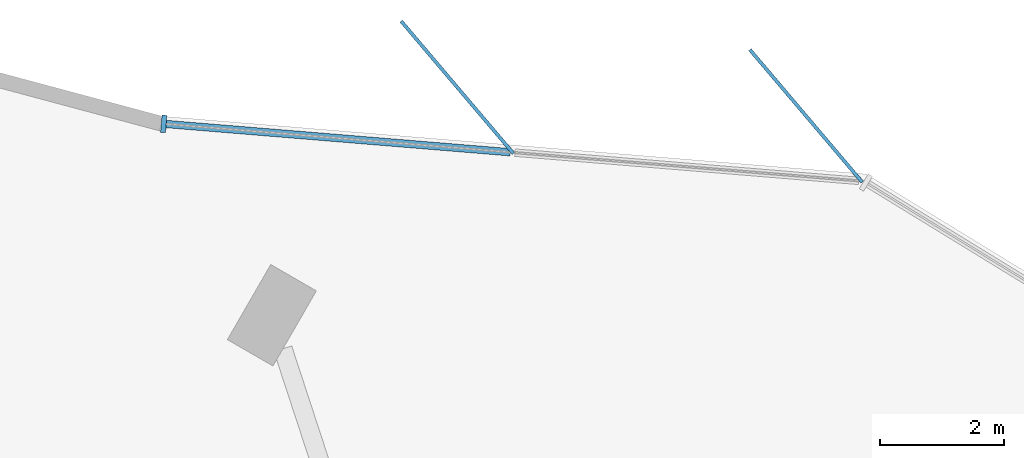
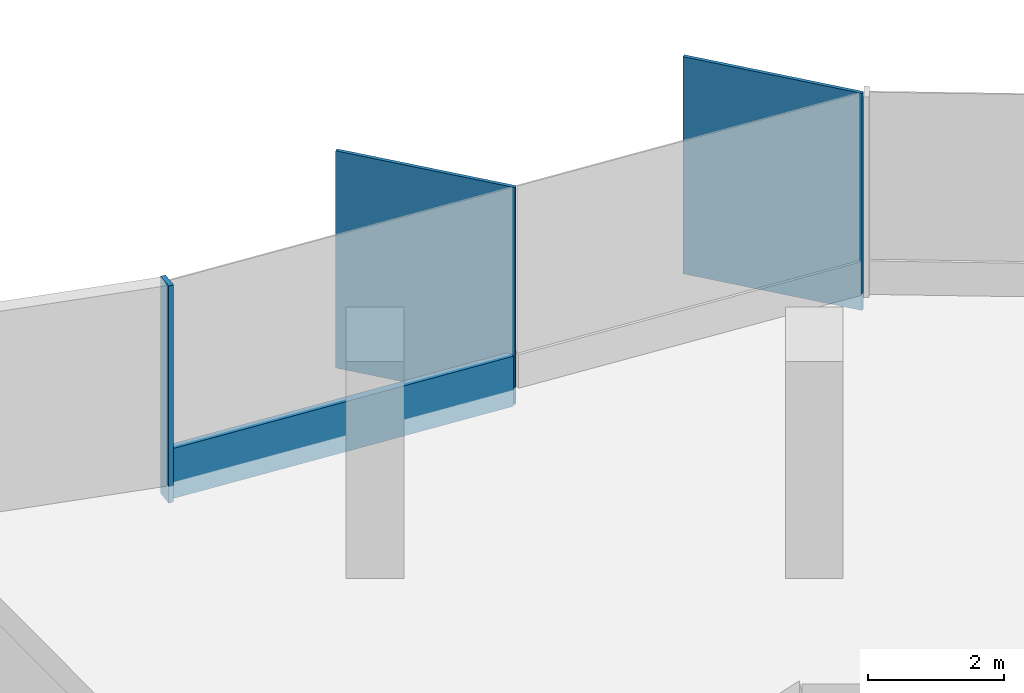
# One storey, part 6 of 13: 4 members, 1 element without a shape of its own.
"""IFC4 building model written with IfcOpenShell, lengths in metres."""

from ifc_helpers import new_model, si_unit, direction, frame, origin, origin_2d, place, context, subcontext, project, spatial, rectangle, extrude, material, material_profile, profile_set, type_object, element, aggregate, save


model = new_model("IFC4")

# Units and contexts
model_context = context("Model", 3, precision=1e-05, world=origin(), true_north=direction((0.0, 1.0)))
body_context = subcontext(model_context, "Body", "Model", "MODEL_VIEW")
ifc_project = project(units=[si_unit("LENGTHUNIT", "METRE"), si_unit("AREAUNIT", "SQUARE_METRE"), si_unit("VOLUMEUNIT", "CUBIC_METRE"), si_unit("PLANEANGLEUNIT", "RADIAN"), si_unit("MASSUNIT", "GRAM", prefix="KILO")], contexts=[model_context])

# Site, building, storey
site_placement = place(None, origin())
site = spatial("IfcSite", under=ifc_project, at=site_placement, CompositionType="ELEMENT")
building_placement = place(site_placement, origin())
building = spatial("IfcBuilding", under=site, at=building_placement, Name="Tanit Gate Tower", CompositionType="ELEMENT")
storey_placement = place(building_placement, frame((0.0, 0.0, 326.0)))
storey = spatial("IfcBuildingStorey", under=building, at=storey_placement, Name="L73", CompositionType="ELEMENT", Elevation=326.0)

# Curtain wall, members
ifc_material_1 = material(Name="Aluminium bronze anodised and glass", Category="aluminium")
curtain_wall_type = type_object("IfcCurtainWallType", Name="Curtain wall typical high", PredefinedType="NOTDEFINED", material=ifc_material_1)
curtain_wall_placement = place(storey_placement, origin())
curtain_wall = element("IfcCurtainWall", 1, at=curtain_wall_placement, inside=storey, type_object=curtain_wall_type, Name="Curtain wall L73 NE3", PredefinedType="NOTDEFINED")
ifc_material_2 = material(Name="Aluminium bronze anodised", Category="aluminium")
ifc_material_profile_1 = material_profile(ifc_material_2, rectangle(XDim=2.800048828125, YDim=0.055908203125, at=origin_2d()), Name="56x2800 bronze fin mullion")
ifc_profile_set_1 = profile_set([ifc_material_profile_1], Name="Aluminium bronze anodised")
member_type_1 = type_object("IfcMemberType", Name="FIN MULLION 56x2800 bronze", PredefinedType="MULLION", material=ifc_profile_set_1)
member_1_placement = place(storey_placement, frame((-0.837646484375, 32.079345703125, -0.300048828125), z_axis=(0.0, 0.0, 1.0), x_axis=(0.646872821533, -0.762597897166, 0.0)))
member_1 = element("IfcMember", 2, at=member_1_placement, type_object=member_type_1, Name="Fin mullion L73 NE3.1", PredefinedType="MULLION", context=body_context, shape_type="SweptSolid", body=[
    extrude(rectangle(XDim=2.800048828125, YDim=0.055908203125, at=origin_2d()), origin(), (0.0, 0.0, 1.0), 3.900146484375),
])
member_2_placement = place(storey_placement, frame((-6.46826171875, 32.54150390625, -0.300048828125), z_axis=(0.0, 0.0, 1.0), x_axis=(0.646872821533, -0.762597897166, 0.0)))
member_2 = element("IfcMember", 3, at=member_2_placement, type_object=member_type_1, Name="Fin mullion L73 NE3.2", PredefinedType="MULLION", context=body_context, shape_type="SweptSolid", body=[
    extrude(rectangle(XDim=2.800048828125, YDim=0.055908203125, at=origin_2d()), origin(), (0.0, 0.0, 1.0), 3.900146484375),
])
ifc_material_3 = material(Name="Aluminium bronze anodised", Category="aluminium")
ifc_material_profile_2 = material_profile(ifc_material_3, rectangle(XDim=0.280029296875, YDim=0.080078125, at=origin_2d()), Name="80x280 bronze mullion")
ifc_profile_set_2 = profile_set([ifc_material_profile_2], Name="Aluminium bronze anodised")
member_type_2 = type_object("IfcMemberType", Name="Mullion 80x280 typical high", PredefinedType="MULLION", material=ifc_profile_set_2)
member_3_placement = place(storey_placement, frame((-11.2060546875, 31.951171875, -0.300048828125), z_axis=(0.0, 0.0, 1.0), x_axis=(-0.081829985733, -0.996646303076, 0.0)))
member_3 = element("IfcMember", 4, at=member_3_placement, type_object=member_type_2, Name="Mullion L73 NE3.3", PredefinedType="MULLION", context=body_context, shape_type="SweptSolid", body=[
    extrude(rectangle(XDim=0.280029296875, YDim=0.080078125, at=origin_2d()), origin(), (0.0, 0.0, 1.0), 3.900146484375),
])
ifc_material_4 = material(Name="Aluminium bronze anodised", Category="aluminium")
ifc_material_profile_3 = material_profile(ifc_material_4, rectangle(XDim=0.1201171875, YDim=0.89990234375, at=origin_2d()), Name="120x900 bronze transom")
ifc_profile_set_3 = profile_set([ifc_material_profile_3], Name="Aluminium bronze anodised")
member_type_3 = type_object("IfcMemberType", Name="Transom 120x900 typical high", PredefinedType="USERDEFINED", material=ifc_profile_set_3)
member_4_placement = place(storey_placement, frame((-5.615234375, 31.4921875, 0.14990234375), z_axis=(-0.996645398744, 0.081840999272, 0.0), x_axis=(-0.081840999272, -0.996645398744, 0.0)))
member_4 = element("IfcMember", 5, at=member_4_placement, type_object=member_type_3, Name="Transom L73 NE3.2", ObjectType="TRANSOM", PredefinedType="USERDEFINED", context=body_context, shape_type="SweptSolid", body=[
    extrude(rectangle(XDim=0.1201171875, YDim=0.89990234375, at=origin_2d()), origin(), (0.0, 0.0, 1.0), 5.569580078125),
])
aggregate(curtain_wall, [member_1, member_2, member_3, member_4])

save(model, "model.ifc")
